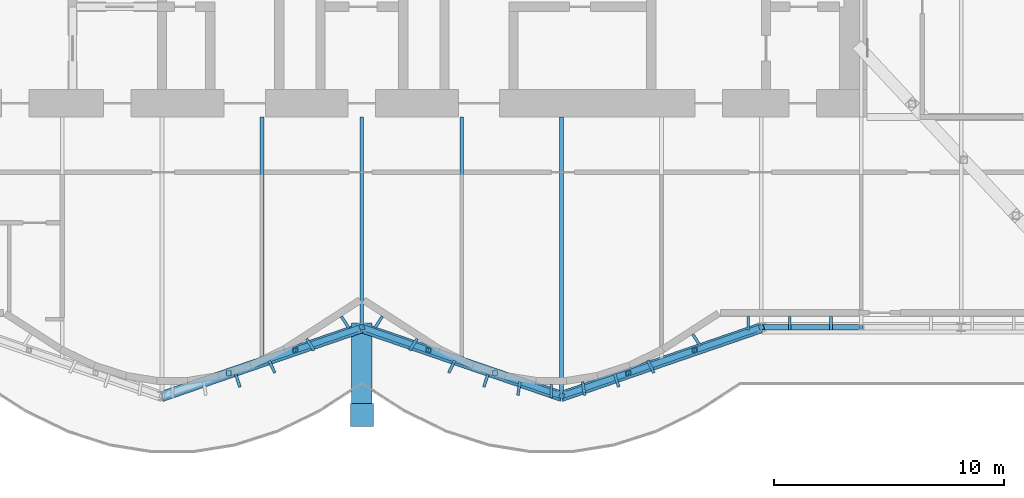
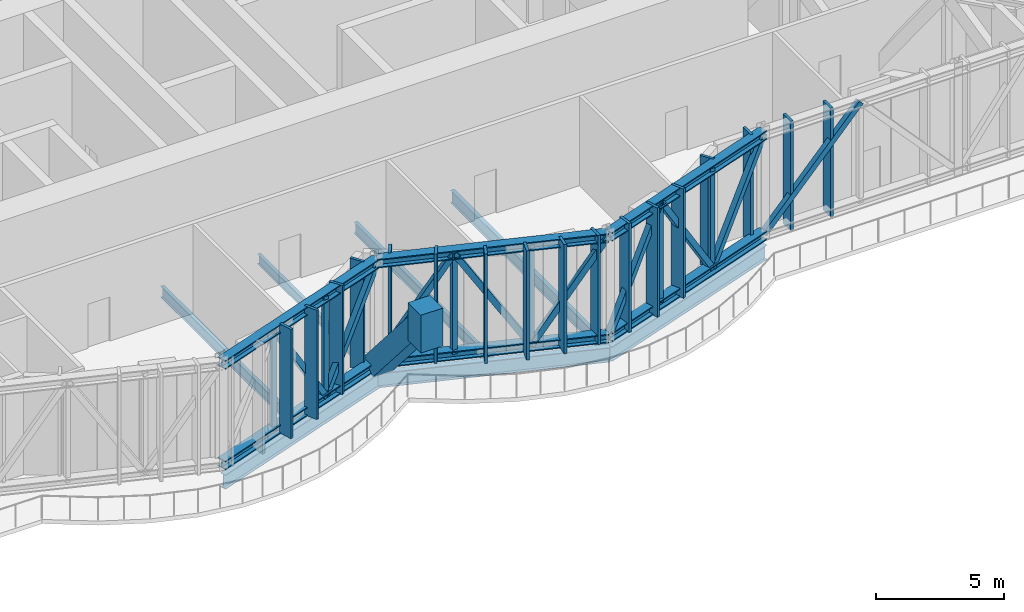
# One storey, part 6 of 20: 40 members, 7 beams, 1 element without a shape of its own.
"""IFC4 building model written with IfcOpenShell, lengths in metres."""

from ifc_helpers import new_model, si_unit, direction, frame, origin, origin_2d, place, context, subcontext, project, spatial, rectangle, hollow_rectangle, i_section, extrude, material, material_profile, profile_set, type_object, element, aggregate, save


model = new_model("IFC4")

# Units and contexts
model_context = context("Model", 3, precision=1e-05, world=origin(), true_north=direction((0.0, 1.0)))
body_context = subcontext(model_context, "Body", "Model", "MODEL_VIEW")
ifc_project = project(units=[si_unit("LENGTHUNIT", "METRE"), si_unit("AREAUNIT", "SQUARE_METRE"), si_unit("VOLUMEUNIT", "CUBIC_METRE"), si_unit("PLANEANGLEUNIT", "RADIAN"), si_unit("MASSUNIT", "GRAM", prefix="KILO")], contexts=[model_context])

# Site, building, storey
site_placement = place(None, origin())
site = spatial("IfcSite", under=ifc_project, at=site_placement, CompositionType="ELEMENT")
building_placement = place(site_placement, origin())
building = spatial("IfcBuilding", under=site, at=building_placement, Name="Bicima Exchange Tower", CompositionType="ELEMENT")
storey_placement = place(building_placement, frame((0.0, 0.0, 342.5)))
storey = spatial("IfcBuildingStorey", under=building, at=storey_placement, Name="L77", CompositionType="ELEMENT", Elevation=342.5)

# Curtain wall, members
ifc_material_1 = material(Name="Anodised bronze aluminium", Category="aluminium")
curtain_wall_type = type_object("IfcCurtainWallType", Name="Band blade screen", PredefinedType="NOTDEFINED", material=ifc_material_1)
curtain_wall_placement = place(storey_placement, origin())
curtain_wall = element("IfcCurtainWall", 1, at=curtain_wall_placement, inside=storey, type_object=curtain_wall_type, Name="Band blade screen L77", PredefinedType="NOTDEFINED")
ifc_material_profile_1 = material_profile(ifc_material_1, rectangle(XDim=0.60009765625, YDim=0.1201171875, at=origin_2d()))
ifc_profile_set_1 = profile_set([ifc_material_profile_1], Name="Anodised bronze aluminium")
member_type_1 = type_object("IfcMemberType", Name="Band blade fin 600 x 120", PredefinedType="USERDEFINED", material=ifc_profile_set_1)
member_1_placement = place(storey_placement, frame((-5.403564453125, -24.47412109375, 0.0), z_axis=(0.0, 0.0, 1.0), x_axis=(-0.307552591055, 0.951531083956, 0.0)))
member_1 = element("IfcMember", 2, at=member_1_placement, type_object=member_type_1, Name="Band blade fin 31", ObjectType="FIN", PredefinedType="USERDEFINED", context=body_context, shape_type="SweptSolid", body=[
    extrude(rectangle(XDim=0.60009765625, YDim=0.1201171875, at=origin_2d()), origin(), (0.0, 0.0, 1.0), 5.199951171875),
])
member_2_placement = place(storey_placement, frame((-3.916259765625, -23.87060546875, 0.0), z_axis=(0.0, 0.0, 1.0), x_axis=(-0.436286748784, 0.899807686584, 0.0)))
member_2 = element("IfcMember", 3, at=member_2_placement, type_object=member_type_1, Name="Band blade fin 32", ObjectType="FIN", PredefinedType="USERDEFINED", context=body_context, shape_type="SweptSolid", body=[
    extrude(rectangle(XDim=0.60009765625, YDim=0.1201171875, at=origin_2d()), origin(), (0.0, 0.0, 1.0), 5.199951171875),
])
member_3_placement = place(storey_placement, frame((-2.242919921875, -22.910888671875, 0.0), z_axis=(0.0, 0.0, 1.0), x_axis=(-0.542909183079, 0.839791413941, 0.0)))
member_3 = element("IfcMember", 4, at=member_3_placement, type_object=member_type_1, Name="Band blade fin 33", ObjectType="FIN", PredefinedType="USERDEFINED", context=body_context, shape_type="SweptSolid", body=[
    extrude(rectangle(XDim=0.60009765625, YDim=0.1201171875, at=origin_2d()), origin(), (0.0, 0.0, 1.0), 5.199951171875),
])
member_4_placement = place(storey_placement, frame((-0.731201171875, -21.93359375, 0.0), z_axis=(0.0, 0.0, 1.0), x_axis=(-0.542909183079, 0.839791413941, 0.0)))
member_4 = element("IfcMember", 5, at=member_4_placement, type_object=member_type_1, Name="Band blade fin 34", ObjectType="FIN", PredefinedType="USERDEFINED", context=body_context, shape_type="SweptSolid", body=[
    extrude(rectangle(XDim=0.60009765625, YDim=0.1201171875, at=origin_2d()), origin(), (0.0, 0.0, 1.0), 5.199951171875),
])
member_5_placement = place(storey_placement, frame((0.731201171875, -21.93359375, 0.0), z_axis=(0.0, 0.0, 1.0), x_axis=(0.542909183079, 0.839791413941, 0.0)))
member_5 = element("IfcMember", 6, at=member_5_placement, type_object=member_type_1, Name="Band blade fin 35", ObjectType="FIN", PredefinedType="USERDEFINED", context=body_context, shape_type="SweptSolid", body=[
    extrude(rectangle(XDim=0.60009765625, YDim=0.1201171875, at=origin_2d()), origin(), (0.0, 0.0, 1.0), 5.199951171875),
])
member_6_placement = place(storey_placement, frame((2.242919921875, -22.910888671875, 0.0), z_axis=(0.0, 0.0, 1.0), x_axis=(0.542909183079, 0.839791413941, 0.0)))
member_6 = element("IfcMember", 7, at=member_6_placement, type_object=member_type_1, Name="Band blade fin 36", ObjectType="FIN", PredefinedType="USERDEFINED", context=body_context, shape_type="SweptSolid", body=[
    extrude(rectangle(XDim=0.60009765625, YDim=0.1201171875, at=origin_2d()), origin(), (0.0, 0.0, 1.0), 5.199951171875),
])
member_7_placement = place(storey_placement, frame((3.916259765625, -23.87060546875, 0.0), z_axis=(0.0, 0.0, 1.0), x_axis=(0.436286748784, 0.899807686584, 0.0)))
member_7 = element("IfcMember", 8, at=member_7_placement, type_object=member_type_1, Name="Band blade fin 37", ObjectType="FIN", PredefinedType="USERDEFINED", context=body_context, shape_type="SweptSolid", body=[
    extrude(rectangle(XDim=0.60009765625, YDim=0.1201171875, at=origin_2d()), origin(), (0.0, 0.0, 1.0), 5.199951171875),
])
member_8_placement = place(storey_placement, frame((5.403564453125, -24.47412109375, 0.0), z_axis=(0.0, 0.0, 1.0), x_axis=(0.307552591055, 0.951531083956, 0.0)))
member_8 = element("IfcMember", 9, at=member_8_placement, type_object=member_type_1, Name="Band blade fin 38", ObjectType="FIN", PredefinedType="USERDEFINED", context=body_context, shape_type="SweptSolid", body=[
    extrude(rectangle(XDim=0.60009765625, YDim=0.1201171875, at=origin_2d()), origin(), (0.0, 0.0, 1.0), 5.199951171875),
])
member_9_placement = place(storey_placement, frame((6.84130859375, -24.824462890625, 0.0), z_axis=(0.0, 0.0, 1.0), x_axis=(0.159533156447, 0.987192570877, 0.0)))
member_9 = element("IfcMember", 10, at=member_9_placement, type_object=member_type_1, Name="Band blade fin 39", ObjectType="FIN", PredefinedType="USERDEFINED", context=body_context, shape_type="SweptSolid", body=[
    extrude(rectangle(XDim=0.60009765625, YDim=0.1201171875, at=origin_2d()), origin(), (0.0, 0.0, 1.0), 5.199951171875),
])
member_10_placement = place(storey_placement, frame((8.25, -24.93896484375, 0.0), z_axis=(0.0, 0.0, 1.0), x_axis=(0.0, 1.0, 0.0)))
member_10 = element("IfcMember", 11, at=member_10_placement, type_object=member_type_1, Name="Band blade fin 40", ObjectType="FIN", PredefinedType="USERDEFINED", context=body_context, shape_type="SweptSolid", body=[
    extrude(rectangle(XDim=0.60009765625, YDim=0.1201171875, at=origin_2d()), origin(), (0.0, 0.0, 1.0), 5.199951171875),
])
member_11_placement = place(storey_placement, frame((9.65869140625, -24.824462890625, 0.0), z_axis=(0.0, 0.0, 1.0), x_axis=(-0.159533156447, 0.987192570877, 0.0)))
member_11 = element("IfcMember", 12, at=member_11_placement, type_object=member_type_1, Name="Band blade fin 41", ObjectType="FIN", PredefinedType="USERDEFINED", context=body_context, shape_type="SweptSolid", body=[
    extrude(rectangle(XDim=0.60009765625, YDim=0.1201171875, at=origin_2d()), origin(), (0.0, 0.0, 1.0), 5.199951171875),
])
member_12_placement = place(storey_placement, frame((11.096435546875, -24.47412109375, 0.0), z_axis=(0.0, 0.0, 1.0), x_axis=(-0.307552591055, 0.951531083956, 0.0)))
member_12 = element("IfcMember", 13, at=member_12_placement, type_object=member_type_1, Name="Band blade fin 42", ObjectType="FIN", PredefinedType="USERDEFINED", context=body_context, shape_type="SweptSolid", body=[
    extrude(rectangle(XDim=0.60009765625, YDim=0.1201171875, at=origin_2d()), origin(), (0.0, 0.0, 1.0), 5.199951171875),
])
member_13_placement = place(storey_placement, frame((12.583740234375, -23.87060546875, 0.0), z_axis=(0.0, 0.0, 1.0), x_axis=(-0.436286748784, 0.899807686584, 0.0)))
member_13 = element("IfcMember", 14, at=member_13_placement, type_object=member_type_1, Name="Band blade fin 43", ObjectType="FIN", PredefinedType="USERDEFINED", context=body_context, shape_type="SweptSolid", body=[
    extrude(rectangle(XDim=0.60009765625, YDim=0.1201171875, at=origin_2d()), origin(), (0.0, 0.0, 1.0), 5.199951171875),
])
member_14_placement = place(storey_placement, frame((14.5703125, -22.70849609375, 0.0), z_axis=(0.0, 0.0, 1.0), x_axis=(-0.542916511621, 0.839786676132, 0.0)))
member_14 = element("IfcMember", 15, at=member_14_placement, type_object=member_type_1, Name="Band blade fin 44", ObjectType="FIN", PredefinedType="USERDEFINED", context=body_context, shape_type="SweptSolid", body=[
    extrude(rectangle(XDim=0.60009765625, YDim=0.1201171875, at=origin_2d()), origin(), (0.0, 0.0, 1.0), 5.199951171875),
])
member_15_placement = place(storey_placement, frame((16.832275390625, -21.97607421875, 0.0), z_axis=(0.0, 0.0, 1.0), x_axis=(0.0, 1.0, 0.0)))
member_15 = element("IfcMember", 16, at=member_15_placement, type_object=member_type_1, Name="Band blade fin 45", ObjectType="FIN", PredefinedType="USERDEFINED", context=body_context, shape_type="SweptSolid", body=[
    extrude(rectangle(XDim=0.60009765625, YDim=0.1201171875, at=origin_2d()), origin(), (0.0, 0.0, 1.0), 5.199951171875),
])
member_16_placement = place(storey_placement, frame((18.63232421875, -21.97607421875, 0.0), z_axis=(0.0, 0.0, 1.0), x_axis=(0.0, 1.0, 0.0)))
member_16 = element("IfcMember", 17, at=member_16_placement, type_object=member_type_1, Name="Band blade fin 46", ObjectType="FIN", PredefinedType="USERDEFINED", context=body_context, shape_type="SweptSolid", body=[
    extrude(rectangle(XDim=0.60009765625, YDim=0.1201171875, at=origin_2d()), origin(), (0.0, 0.0, 1.0), 5.199951171875),
])
member_17_placement = place(storey_placement, frame((20.432373046875, -21.97607421875, 0.0), z_axis=(0.0, 0.0, 1.0), x_axis=(0.0, 1.0, 0.0)))
member_17 = element("IfcMember", 18, at=member_17_placement, type_object=member_type_1, Name="Band blade fin 47", ObjectType="FIN", PredefinedType="USERDEFINED", context=body_context, shape_type="SweptSolid", body=[
    extrude(rectangle(XDim=0.60009765625, YDim=0.1201171875, at=origin_2d()), origin(), (0.0, 0.0, 1.0), 5.199951171875),
])
aggregate(curtain_wall, [member_1, member_2, member_3, member_4, member_5, member_6, member_7, member_8, member_9, member_10, member_11, member_12, member_13, member_14, member_15, member_16, member_17])

# Members
ifc_material_2 = material(Name="Steel ASTM A992 Gr 50", Category="steel")
ifc_material_profile_2 = material_profile(ifc_material_2, i_section(OverallWidth=0.406494140625, OverallDepth=0.41650390625, WebThickness=0.030029296875, FlangeThickness=0.048095703125, at=origin_2d()))
ifc_profile_set_2 = profile_set([ifc_material_profile_2], Name="Steel ASTM A992 Gr 50")
member_type_2 = type_object("IfcMemberType", Name="Belt truss chord W14x257", PredefinedType="CHORD", material=ifc_profile_set_2)
for number, where, z_axis, x_axis, name in (
    (19, (-8.699951171875, -25.14501953125, 4.99169921875), (0.945674616091, 0.32511462668, 0.0), (-0.32511462668, 0.945674616091, 0.0), "Top chord"),
    (20, (-8.699951171875, -25.14501953125, 0.208251953125), (0.945674616091, 0.32511462668, 0.0), (-0.32511462668, 0.945674616091, 0.0), "Bottom chord"),
    (21, (0.0, -22.154052734375, 4.99169921875), (0.945674616091, -0.32511462668, 0.0), (0.32511462668, 0.945674616091, 0.0), "Top chord"),
    (22, (0.0, -22.154052734375, 0.208251953125), (0.945674616091, -0.32511462668, 0.0), (0.32511462668, 0.945674616091, 0.0), "Bottom chord"),
    (23, (8.699951171875, -25.14501953125, 4.99169921875), (0.945674616091, 0.32511462668, 0.0), (-0.32511462668, 0.945674616091, 0.0), "Top chord"),
    (24, (8.699951171875, -25.14501953125, 0.208251953125), (0.945674616091, 0.32511462668, 0.0), (-0.32511462668, 0.945674616091, 0.0), "Bottom chord"),
):
    element("IfcMember", number, at=place(storey_placement, frame(where, z_axis=z_axis, x_axis=x_axis)), inside=storey, type_object=member_type_2, Name=name, PredefinedType="CHORD", context=body_context, shape_type="SweptSolid", body=[
        extrude(i_section(OverallWidth=0.406494140625, OverallDepth=0.41650390625, WebThickness=0.030029296875, FlangeThickness=0.048095703125, at=origin_2d()), origin(), (0.0, 0.0, 1.0), 9.19970703125),
    ])
ifc_material_3 = material(Name="Steel ASTM A572 Gr 50", Category="steel")
ifc_material_profile_3 = material_profile(ifc_material_3, hollow_rectangle(XDim=0.25390625, YDim=0.25390625, WallThickness=0.01171875, at=origin_2d()))
ifc_profile_set_3 = profile_set([ifc_material_profile_3], Name="Steel ASTM A572 Gr 50")
member_type_3 = type_object("IfcMemberType", Name="Belt truss diagonal HSS10x10x1/2", PredefinedType="STRUT", material=ifc_profile_set_3)
member_18_placement = place(storey_placement, frame((-5.800048828125, -24.14794921875, 4.99169921875), z_axis=(0.510399626174, 0.175475382885, -0.841843579059), x_axis=(-0.325122040768, 0.94567206716, 0.0)))
element("IfcMember", 25, at=member_18_placement, inside=storey, type_object=member_type_3, Name="Truss diagonal", PredefinedType="STRUT", context=body_context, shape_type="SweptSolid", body=[
    extrude(hollow_rectangle(XDim=0.25390625, YDim=0.25390625, WallThickness=0.01171875, at=origin_2d()), origin(), (0.0, 0.0, 1.0), 5.68212890625),
])
for number, where, z_axis, x_axis, name in (
    (26, (-2.89990234375, -23.15087890625, 0.208251953125), (0.510371699397, 0.175437586179, 0.841868387463), (-0.325075318312, 0.945688129049, 0.0), "Truss diagonal"),
    (27, (0.0, -22.154052734375, 0.208251953125), (0.510371699397, -0.175437586179, 0.841868387463), (0.325075318312, 0.945688129049, 0.0), "Truss diagonal"),
):
    element("IfcMember", number, at=place(storey_placement, frame(where, z_axis=z_axis, x_axis=x_axis)), inside=storey, type_object=member_type_3, Name=name, PredefinedType="STRUT", context=body_context, shape_type="SweptSolid", body=[
        extrude(hollow_rectangle(XDim=0.25390625, YDim=0.25390625, WallThickness=0.01171875, at=origin_2d()), origin(), (0.0, 0.0, 1.0), 5.681884765625),
    ])
member_19_placement = place(storey_placement, frame((2.89990234375, -23.15087890625, 4.99169921875), z_axis=(0.510399626174, -0.175475382885, -0.841843579059), x_axis=(0.325122040768, 0.94567206716, 0.0)))
element("IfcMember", 28, at=member_19_placement, inside=storey, type_object=member_type_3, Name="Truss diagonal", PredefinedType="STRUT", context=body_context, shape_type="SweptSolid", body=[
    extrude(hollow_rectangle(XDim=0.25390625, YDim=0.25390625, WallThickness=0.01171875, at=origin_2d()), origin(), (0.0, 0.0, 1.0), 5.68212890625),
])
member_20_placement = place(storey_placement, frame((5.800048828125, -24.14794921875, 0.208251953125), z_axis=(0.510367851701, -0.175479231045, 0.841862040611), x_axis=(0.325146518908, 0.945663651222, 0.0)))
element("IfcMember", 29, at=member_20_placement, inside=storey, type_object=member_type_3, Name="Truss diagonal", PredefinedType="STRUT", context=body_context, shape_type="SweptSolid", body=[
    extrude(hollow_rectangle(XDim=0.25390625, YDim=0.25390625, WallThickness=0.01171875, at=origin_2d()), origin(), (0.0, 0.0, 1.0), 5.681884765625),
])
member_21_placement = place(storey_placement, frame((8.699951171875, -25.14501953125, 0.208251953125), z_axis=(0.510399626174, 0.175475382885, 0.841843579059), x_axis=(-0.325122040768, 0.94567206716, 0.0)))
element("IfcMember", 30, at=member_21_placement, inside=storey, type_object=member_type_3, Name="Truss diagonal", PredefinedType="STRUT", context=body_context, shape_type="SweptSolid", body=[
    extrude(hollow_rectangle(XDim=0.25390625, YDim=0.25390625, WallThickness=0.01171875, at=origin_2d()), origin(), (0.0, 0.0, 1.0), 5.68212890625),
])
for number, where, z_axis, x_axis, name in (
    (31, (11.60009765625, -24.14794921875, 4.99169921875), (0.510367851701, 0.175479231045, -0.841862040611), (-0.325146518908, 0.945663651222, 0.0), "Truss diagonal"),
    (32, (14.5, -23.15087890625, 0.208251953125), (0.510371699397, 0.175437586179, 0.841868387463), (-0.325075318312, 0.945688129049, 0.0), "Truss diagonal"),
):
    element("IfcMember", number, at=place(storey_placement, frame(where, z_axis=z_axis, x_axis=x_axis)), inside=storey, type_object=member_type_3, Name=name, PredefinedType="STRUT", context=body_context, shape_type="SweptSolid", body=[
        extrude(hollow_rectangle(XDim=0.25390625, YDim=0.25390625, WallThickness=0.01171875, at=origin_2d()), origin(), (0.0, 0.0, 1.0), 5.681884765625),
    ])
member_22_placement = place(storey_placement, frame((17.39990234375, -22.154052734375, 0.208251953125), z_axis=(0.672800585692, 0.0, 0.739823878969), x_axis=(0.0, 1.0, 0.0)))
element("IfcMember", 33, at=member_22_placement, inside=storey, type_object=member_type_3, Name="Truss diagonal", PredefinedType="STRUT", context=body_context, shape_type="SweptSolid", body=[
    extrude(hollow_rectangle(XDim=0.25390625, YDim=0.25390625, WallThickness=0.01171875, at=origin_2d()), origin(), (0.0, 0.0, 1.0), 6.465576171875),
])
ifc_material_profile_4 = material_profile(ifc_material_3, hollow_rectangle(XDim=0.203125, YDim=0.203125, WallThickness=0.01171875, at=origin_2d()))
ifc_profile_set_4 = profile_set([ifc_material_profile_4], Name="Steel ASTM A572 Gr 50")
member_type_4 = type_object("IfcMemberType", Name="Belt truss post HSS8x8x1/2", PredefinedType="POST", material=ifc_profile_set_4)
for number, where, z_axis, x_axis, name in (
    (34, (-5.800048828125, -24.14794921875, 0.208251953125), (0.0, 0.0, 1.0), (1.0, 0.0, 0.0), "Truss post"),
    (35, (-2.89990234375, -23.15087890625, 0.208251953125), (0.0, 0.0, 1.0), (1.0, 0.0, 0.0), "Truss post"),
    (36, (2.89990234375, -23.15087890625, 0.208251953125), (0.0, 0.0, 1.0), (1.0, 0.0, 0.0), "Truss post"),
    (37, (5.800048828125, -24.14794921875, 0.208251953125), (0.0, 0.0, 1.0), (1.0, 0.0, 0.0), "Truss post"),
    (38, (11.60009765625, -24.14794921875, 0.208251953125), (0.0, 0.0, 1.0), (1.0, 0.0, 0.0), "Truss post"),
    (39, (14.5, -23.15087890625, 0.208251953125), (0.0, 0.0, 1.0), (1.0, 0.0, 0.0), "Truss post"),
):
    element("IfcMember", number, at=place(storey_placement, frame(where, z_axis=z_axis, x_axis=x_axis)), inside=storey, type_object=member_type_4, Name=name, PredefinedType="POST", context=body_context, shape_type="SweptSolid", body=[
        extrude(hollow_rectangle(XDim=0.203125, YDim=0.203125, WallThickness=0.01171875, at=origin_2d()), origin(), (0.0, 0.0, 1.0), 4.783447265625),
    ])
ifc_material_4 = material(Name="Cast steel ASTM A216 Gr WCB", Category="steel")
ifc_material_profile_5 = material_profile(ifc_material_4, rectangle(XDim=1.0, YDim=1.0, at=origin_2d()))
ifc_profile_set_5 = profile_set([ifc_material_profile_5], Name="Cast steel ASTM A216 Gr WCB")
member_type_5 = type_object("IfcMemberType", Name="Exo node block", PredefinedType="POST", material=ifc_profile_set_5)
member_23_placement = place(storey_placement, frame((0.0, -25.974853515625, 3.39990234375), z_axis=(0.0, 0.0, 1.0), x_axis=(1.0, 0.0, 0.0)))
element("IfcMember", 40, at=member_23_placement, inside=storey, type_object=member_type_5, Name="Exo node block", PredefinedType="POST", context=body_context, shape_type="SweptSolid", body=[
    extrude(rectangle(XDim=1.0, YDim=1.0, at=origin_2d()), origin(), (0.0, 0.0, 1.0), 1.800048828125),
])
ifc_material_profile_6 = material_profile(ifc_material_3, hollow_rectangle(XDim=0.89990234375, YDim=0.89990234375, WallThickness=0.050048828125, at=origin_2d()))
ifc_profile_set_6 = profile_set([ifc_material_profile_6], Name="Steel ASTM A572 Gr 50")
member_type_6 = type_object("IfcMemberType", Name="Exo outrigger stub BOX 900x900x50", PredefinedType="STRUT", material=ifc_profile_set_6)
member_24_placement = place(storey_placement, frame((0.0, -22.303955078125, 0.208251953125), z_axis=(0.0, -0.654396844029, 0.756151288119), x_axis=(1.0, 0.0, 0.0)))
element("IfcMember", 41, at=member_24_placement, inside=storey, type_object=member_type_6, Name="Exo outrigger stub", PredefinedType="STRUT", context=body_context, shape_type="SweptSolid", body=[
    extrude(hollow_rectangle(XDim=0.89990234375, YDim=0.89990234375, WallThickness=0.050048828125, at=origin_2d()), origin(), (0.0, 0.0, 1.0), 5.609619140625),
])

# Beams
ifc_material_profile_7 = material_profile(ifc_material_2, i_section(OverallWidth=0.15283203125, OverallDepth=0.45458984375, WebThickness=0.008056640625, FlangeThickness=0.013427734375, at=origin_2d()))
ifc_profile_set_7 = profile_set([ifc_material_profile_7], Name="Steel ASTM A992 Gr 50")
beam_type_1 = type_object("IfcBeamType", Name="Floor beam W18x40", PredefinedType="JOIST", material=ifc_profile_set_7)
beam_1_placement = place(storey_placement, frame((0.0, -13.0, -0.42724609375), z_axis=(0.0, -1.0, 0.0), x_axis=(1.0, 0.0, 0.0)))
element("IfcBeam", 42, at=beam_1_placement, inside=storey, type_object=beam_type_1, Name="Floor beam", PredefinedType="JOIST", context=body_context, shape_type="SweptSolid", body=[
    extrude(i_section(OverallWidth=0.15283203125, OverallDepth=0.45458984375, WebThickness=0.008056640625, FlangeThickness=0.013427734375, at=origin_2d()), origin(), (0.0, 0.0, 1.0), 9.27587890625),
])
ifc_material_profile_8 = material_profile(ifc_material_2, i_section(OverallWidth=0.165771484375, OverallDepth=0.5283203125, WebThickness=0.009765625, FlangeThickness=0.013671875, at=origin_2d()))
ifc_profile_set_8 = profile_set([ifc_material_profile_8], Name="Steel ASTM A992 Gr 50")
beam_type_2 = type_object("IfcBeamType", Name="Floor beam W21x50", PredefinedType="JOIST", material=ifc_profile_set_8)
for number, where, z_axis, x_axis, name in (
    (43, (-4.35009765625, -13.0, -0.464111328125), (0.0, -1.0, 0.0), (1.0, 0.0, 0.0), "Floor beam"),
    (44, (4.35009765625, -13.0, -0.464111328125), (0.0, -1.0, 0.0), (1.0, 0.0, 0.0), "Floor beam"),
):
    element("IfcBeam", number, at=place(storey_placement, frame(where, z_axis=z_axis, x_axis=x_axis)), inside=storey, type_object=beam_type_2, Name=name, PredefinedType="JOIST", context=body_context, shape_type="SweptSolid", body=[
        extrude(i_section(OverallWidth=0.165771484375, OverallDepth=0.5283203125, WebThickness=0.009765625, FlangeThickness=0.013671875, at=origin_2d()), origin(), (0.0, 0.0, 1.0), 10.635986328125),
    ])
ifc_material_profile_9 = material_profile(ifc_material_2, i_section(OverallWidth=0.177978515625, OverallDepth=0.599365234375, WebThickness=0.010009765625, FlangeThickness=0.012939453125, at=origin_2d()))
ifc_profile_set_9 = profile_set([ifc_material_profile_9], Name="Steel ASTM A992 Gr 50")
beam_type_3 = type_object("IfcBeamType", Name="Floor beam W24x55", PredefinedType="JOIST", material=ifc_profile_set_9)
beam_2_placement = place(storey_placement, frame((8.699951171875, -13.0, -0.499755859375), z_axis=(0.0, -1.0, 0.0), x_axis=(1.0, 0.0, 0.0)))
element("IfcBeam", 45, at=beam_2_placement, inside=storey, type_object=beam_type_3, Name="Floor beam", PredefinedType="JOIST", context=body_context, shape_type="SweptSolid", body=[
    extrude(i_section(OverallWidth=0.177978515625, OverallDepth=0.599365234375, WebThickness=0.010009765625, FlangeThickness=0.012939453125, at=origin_2d()), origin(), (0.0, 0.0, 1.0), 12.13134765625),
])
ifc_material_profile_10 = material_profile(ifc_material_2, i_section(OverallWidth=0.256591796875, OverallDepth=0.693359375, WebThickness=0.014404296875, FlangeThickness=0.023681640625, at=origin_2d()))
ifc_profile_set_10 = profile_set([ifc_material_profile_10], Name="Steel ASTM A992 Gr 50")
beam_type_4 = type_object("IfcBeamType", Name="Front girder W27x114", PredefinedType="BEAM", material=ifc_profile_set_10)
for number, where, z_axis, x_axis, name in (
    (46, (-8.699951171875, -25.26708984375, -0.546630859375), (0.945666456746, 0.325138359143, 0.0), (-0.325138359143, 0.945666456746, 0.0), "Front girder"),
    (47, (0.0, -22.27587890625, -0.546630859375), (0.945666456746, -0.325138359143, 0.0), (0.325138359143, 0.945666456746, 0.0), "Front girder"),
    (48, (8.699951171875, -25.26708984375, -0.546630859375), (0.945666456746, 0.325138359143, 0.0), (-0.325138359143, 0.945666456746, 0.0), "Front girder"),
):
    element("IfcBeam", number, at=place(storey_placement, frame(where, z_axis=z_axis, x_axis=x_axis)), inside=storey, type_object=beam_type_4, Name=name, PredefinedType="BEAM", context=body_context, shape_type="SweptSolid", body=[
        extrude(i_section(OverallWidth=0.256591796875, OverallDepth=0.693359375, WebThickness=0.014404296875, FlangeThickness=0.023681640625, at=origin_2d()), origin(), (0.0, 0.0, 1.0), 9.19970703125),
    ])

save(model, "model.ifc")
